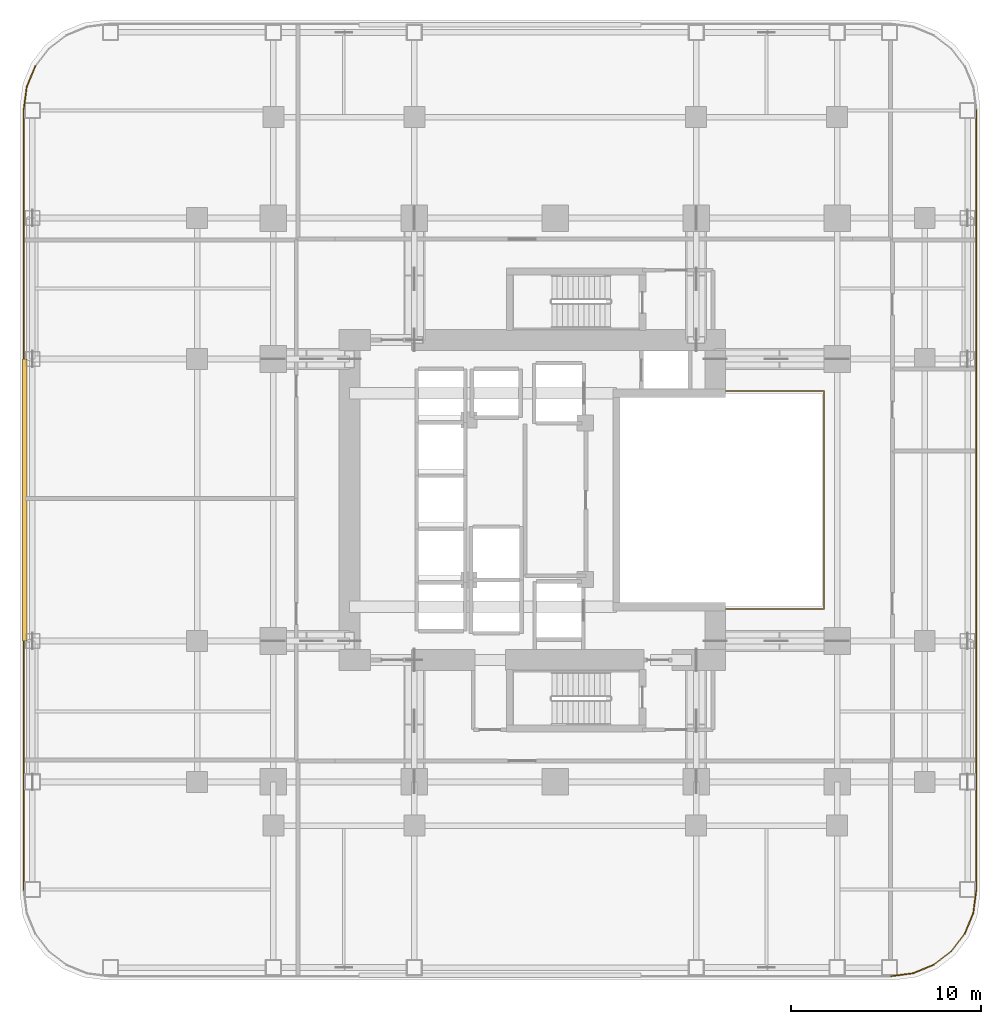
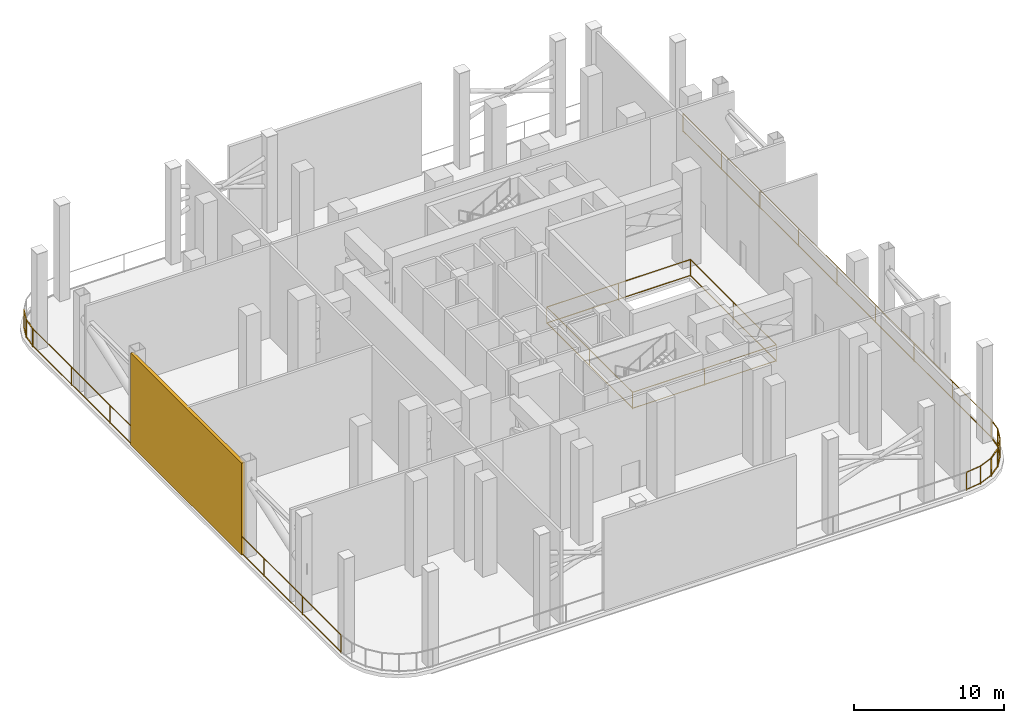
# One storey, part 9 of 11: 11 railings, 1 shading device.
"""IFC4 building model written with IfcOpenShell, lengths in metres."""

from ifc_helpers import new_model, si_unit, direction, frame, origin, origin_2d, place, context, subcontext, project, spatial, rectangle, extrude, material, layer, layer_set, type_object, element, save


model = new_model("IFC4")

# Units and contexts
model_context = context("Model", 3, precision=1e-05, world=origin(), true_north=direction((0.0, 1.0)))
body_context = subcontext(model_context, "Body", "Model", "MODEL_VIEW")
ifc_project = project(units=[si_unit("LENGTHUNIT", "METRE"), si_unit("AREAUNIT", "SQUARE_METRE"), si_unit("VOLUMEUNIT", "CUBIC_METRE"), si_unit("PLANEANGLEUNIT", "RADIAN"), si_unit("MASSUNIT", "GRAM", prefix="KILO")], contexts=[model_context])

# Site, building, storey
site_placement = place(None, origin())
site = spatial("IfcSite", under=ifc_project, at=site_placement, CompositionType="ELEMENT")
building_placement = place(site_placement, origin())
building = spatial("IfcBuilding", under=site, at=building_placement, Name="Khorvyn Point Tower", CompositionType="ELEMENT")
storey_placement = place(building_placement, frame((0.0, 0.0, 77.39990234375)))
storey = spatial("IfcBuildingStorey", under=building, at=storey_placement, Name="L20", CompositionType="ELEMENT", Elevation=77.39990234375)

# Shading device
ifc_material_1 = material(Name="Pale anodised aluminium 6063-T6", Category="aluminium")
ifc_layer = layer(ifc_material_1, 0.25)
ifc_layer_set = layer_set([ifc_layer], Name="Acoustic Hurricane-Louvre Plant Screen")
shading_device_type = type_object("IfcShadingDeviceType", Name="Acoustic Hurricane-Louvre Plant Screen", PredefinedType="JALOUSIE", material=ifc_layer_set)
shading_device_placement = place(storey_placement, frame((-27.85009765625, 0.0, 0.02001953125), z_axis=(0.0, 0.0, 1.0), x_axis=(1.0, 0.0, 0.0)))
element("IfcShadingDevice", 1, at=shading_device_placement, inside=storey, type_object=shading_device_type, Name="L20 Acoustic Hurricane Plant Louvre W", PredefinedType="JALOUSIE", context=body_context, shape_type="SweptSolid", body=[
    extrude(rectangle(XDim=0.25, YDim=14.800048828125, at=origin_2d()), origin(), (0.0, 0.0, 1.0), 7.47998046875),
])

# Railings
ifc_material_2 = material(Name="Stainless steel 1.4401 and laminated glass", Category="steel")
railing_type_1 = type_object("IfcRailingType", Name="Crystal Atrium Smoke-Rated Perimeter Guardrail 1400", PredefinedType="GUARDRAIL", material=ifc_material_2)
railing_1_placement = place(storey_placement, frame((3.080078125, -5.719970703125, 0.0)))
element("IfcRailing", 2, at=railing_1_placement, inside=storey, type_object=railing_type_1, Name="L20 Crystal Atrium Perimeter Guardrail", PredefinedType="GUARDRAIL", context=body_context, shape_type="SweptSolid", body=[
    extrude(rectangle(XDim=0.048095703125, YDim=0.048095703125, at=origin_2d()), frame((0.0, 0.0, 1.3759765625), z_axis=(1.0, 0.0, 0.0), x_axis=(0.0, 1.0, 0.0)), (0.0, 0.0, 1.0), 11.0400390625),
    extrude(rectangle(XDim=0.048095703125, YDim=0.048095703125, at=origin_2d()), frame((0.0, 0.0, 0.080078125), z_axis=(1.0, 0.0, 0.0), x_axis=(0.0, 1.0, 0.0)), (0.0, 0.0, 1.0), 11.0400390625),
    extrude(rectangle(XDim=0.048095703125, YDim=0.048095703125, at=origin_2d()), frame((11.0400390625, 0.0, 1.3759765625), z_axis=(0.0, 1.0, 0.0), x_axis=(-1.0, 0.0, 0.0)), (0.0, 0.0, 1.0), 11.43994140625),
    extrude(rectangle(XDim=0.048095703125, YDim=0.048095703125, at=origin_2d()), frame((11.0400390625, 0.0, 0.080078125), z_axis=(0.0, 1.0, 0.0), x_axis=(-1.0, 0.0, 0.0)), (0.0, 0.0, 1.0), 11.43994140625),
    extrude(rectangle(XDim=0.048095703125, YDim=0.048095703125, at=origin_2d()), frame((11.0400390625, 11.43994140625, 1.3759765625), z_axis=(-1.0, 0.0, 0.0), x_axis=(0.0, -1.0, 0.0)), (0.0, 0.0, 1.0), 11.0400390625),
    extrude(rectangle(XDim=0.048095703125, YDim=0.048095703125, at=origin_2d()), frame((11.0400390625, 11.43994140625, 0.080078125), z_axis=(-1.0, 0.0, 0.0), x_axis=(0.0, -1.0, 0.0)), (0.0, 0.0, 1.0), 11.0400390625),
    extrude(rectangle(XDim=0.048095703125, YDim=0.048095703125, at=origin_2d()), frame((0.0, 11.43994140625, 1.3759765625), z_axis=(0.0, -1.0, 0.0), x_axis=(1.0, 0.0, 0.0)), (0.0, 0.0, 1.0), 11.409912109375),
    extrude(rectangle(XDim=0.048095703125, YDim=0.048095703125, at=origin_2d()), frame((0.0, 11.43994140625, 0.080078125), z_axis=(0.0, -1.0, 0.0), x_axis=(1.0, 0.0, 0.0)), (0.0, 0.0, 1.0), 11.409912109375),
    extrude(rectangle(XDim=0.0419921875, YDim=0.0419921875, at=origin_2d()), origin(), (0.0, 0.0, 1.0), 1.351806640625),
    extrude(rectangle(XDim=0.0419921875, YDim=0.0419921875, at=origin_2d()), frame((5.52001953125, 0.0, 0.0)), (0.0, 0.0, 1.0), 1.351806640625),
    extrude(rectangle(XDim=0.0419921875, YDim=0.0419921875, at=origin_2d()), frame((11.0400390625, 0.0, 0.0)), (0.0, 0.0, 1.0), 1.351806640625),
    extrude(rectangle(XDim=0.0419921875, YDim=0.0419921875, at=origin_2d()), frame((11.0400390625, 5.719970703125, 0.0)), (0.0, 0.0, 1.0), 1.351806640625),
    extrude(rectangle(XDim=0.0419921875, YDim=0.0419921875, at=origin_2d()), frame((11.0400390625, 11.43994140625, 0.0)), (0.0, 0.0, 1.0), 1.351806640625),
    extrude(rectangle(XDim=0.0419921875, YDim=0.0419921875, at=origin_2d()), frame((5.52001953125, 11.43994140625, 0.0)), (0.0, 0.0, 1.0), 1.351806640625),
    extrude(rectangle(XDim=0.0419921875, YDim=0.0419921875, at=origin_2d()), frame((0.0, 11.43994140625, 0.0)), (0.0, 0.0, 1.0), 1.351806640625),
    extrude(rectangle(XDim=0.0419921875, YDim=0.0419921875, at=origin_2d()), frame((0.0, 5.73486328125, 0.0)), (0.0, 0.0, 1.0), 1.351806640625),
    extrude(rectangle(XDim=0.0419921875, YDim=0.0419921875, at=origin_2d()), frame((0.0, 0.030029296875, 0.0)), (0.0, 0.0, 1.0), 1.351806640625),
])
ifc_material_3 = material(Name="Stainless steel 1.4401", Category="steel")
railing_type_2 = type_object("IfcRailingType", Name="School Terrace Anti-Climb Safety Guardrail 1500", PredefinedType="GUARDRAIL", material=ifc_material_3)
railing_2_placement = place(storey_placement, frame((17.634521484375, -24.998291015625, 0.0)))
element("IfcRailing", 3, at=railing_2_placement, inside=storey, type_object=railing_type_2, Name="L20 Open Wind-Floor Perimeter Guardrail 01", PredefinedType="GUARDRAIL", context=body_context, shape_type="SweptSolid", body=[
    extrude(rectangle(XDim=0.048095703125, YDim=0.048095703125, at=origin_2d()), frame((0.0, 0.0, 1.47607421875), z_axis=(0.991444308748, 0.130530389761, 0.0), x_axis=(-0.130530389761, 0.991444308748, 0.0)), (0.0, 0.0, 1.0), 1.165283203125),
    extrude(rectangle(XDim=0.048095703125, YDim=0.048095703125, at=origin_2d()), frame((0.0, 0.0, 0.080078125), z_axis=(0.991444308748, 0.130530389761, 0.0), x_axis=(-0.130530389761, 0.991444308748, 0.0)), (0.0, 0.0, 1.0), 1.165283203125),
    extrude(rectangle(XDim=0.0419921875, YDim=0.0419921875, at=origin_2d()), origin(), (0.0, 0.0, 1.0), 1.451904296875),
    extrude(rectangle(XDim=0.0419921875, YDim=0.0419921875, at=origin_2d()), frame((1.1552734375, 0.152099609375, 0.0)), (0.0, 0.0, 1.0), 1.451904296875),
])
railing_3_placement = place(storey_placement, frame((18.789794921875, -24.84619140625, 0.0)))
element("IfcRailing", 4, at=railing_3_placement, inside=storey, type_object=railing_type_2, Name="L20 Open Wind-Floor Perimeter Guardrail 02", PredefinedType="GUARDRAIL", context=body_context, shape_type="SweptSolid", body=[
    extrude(rectangle(XDim=0.048095703125, YDim=0.048095703125, at=origin_2d()), frame((0.0, 0.0, 1.47607421875), z_axis=(0.923930027667, 0.382561503519, 0.0), x_axis=(-0.382561503519, 0.923930027667, 0.0)), (0.0, 0.0, 1.0), 1.165283203125),
    extrude(rectangle(XDim=0.048095703125, YDim=0.048095703125, at=origin_2d()), frame((0.0, 0.0, 0.080078125), z_axis=(0.923930027667, 0.382561503519, 0.0), x_axis=(-0.382561503519, 0.923930027667, 0.0)), (0.0, 0.0, 1.0), 1.165283203125),
    extrude(rectangle(XDim=0.0419921875, YDim=0.0419921875, at=origin_2d()), origin(), (0.0, 0.0, 1.0), 1.451904296875),
    extrude(rectangle(XDim=0.0419921875, YDim=0.0419921875, at=origin_2d()), frame((1.07666015625, 0.44580078125, 0.0)), (0.0, 0.0, 1.0), 1.451904296875),
])
railing_4_placement = place(storey_placement, frame((19.866455078125, -24.400390625, 0.0)))
element("IfcRailing", 5, at=railing_4_placement, inside=storey, type_object=railing_type_2, Name="L20 Open Wind-Floor Perimeter Guardrail 03", PredefinedType="GUARDRAIL", context=body_context, shape_type="SweptSolid", body=[
    extrude(rectangle(XDim=0.048095703125, YDim=0.048095703125, at=origin_2d()), frame((0.0, 0.0, 1.47607421875), z_axis=(0.793339914386, 0.608778925589, 0.0), x_axis=(-0.608778925589, 0.793339914386, 0.0)), (0.0, 0.0, 1.0), 1.165283203125),
    extrude(rectangle(XDim=0.048095703125, YDim=0.048095703125, at=origin_2d()), frame((0.0, 0.0, 0.080078125), z_axis=(0.793339914386, 0.608778925589, 0.0), x_axis=(-0.608778925589, 0.793339914386, 0.0)), (0.0, 0.0, 1.0), 1.165283203125),
    extrude(rectangle(XDim=0.0419921875, YDim=0.0419921875, at=origin_2d()), origin(), (0.0, 0.0, 1.0), 1.451904296875),
    extrude(rectangle(XDim=0.0419921875, YDim=0.0419921875, at=origin_2d()), frame((0.924560546875, 0.70947265625, 0.0)), (0.0, 0.0, 1.0), 1.451904296875),
])
railing_5_placement = place(storey_placement, frame((20.791015625, -23.69091796875, 0.0)))
element("IfcRailing", 6, at=railing_5_placement, inside=storey, type_object=railing_type_2, Name="L20 Open Wind-Floor Perimeter Guardrail 04", PredefinedType="GUARDRAIL", context=body_context, shape_type="SweptSolid", body=[
    extrude(rectangle(XDim=0.048095703125, YDim=0.048095703125, at=origin_2d()), frame((0.0, 0.0, 1.47607421875), z_axis=(0.608647049612, 0.793441093591, 0.0), x_axis=(-0.793441093591, 0.608647049612, 0.0)), (0.0, 0.0, 1.0), 1.165283203125),
    extrude(rectangle(XDim=0.048095703125, YDim=0.048095703125, at=origin_2d()), frame((0.0, 0.0, 0.080078125), z_axis=(0.608647049612, 0.793441093591, 0.0), x_axis=(-0.793441093591, 0.608647049612, 0.0)), (0.0, 0.0, 1.0), 1.165283203125),
    extrude(rectangle(XDim=0.0419921875, YDim=0.0419921875, at=origin_2d()), origin(), (0.0, 0.0, 1.0), 1.451904296875),
    extrude(rectangle(XDim=0.0419921875, YDim=0.0419921875, at=origin_2d()), frame((0.709228515625, 0.924560546875, 0.0)), (0.0, 0.0, 1.0), 1.451904296875),
])
railing_6_placement = place(storey_placement, frame((21.500244140625, -22.766357421875, 0.0)))
element("IfcRailing", 7, at=railing_6_placement, inside=storey, type_object=railing_type_2, Name="L20 Open Wind-Floor Perimeter Guardrail 05", PredefinedType="GUARDRAIL", context=body_context, shape_type="SweptSolid", body=[
    extrude(rectangle(XDim=0.048095703125, YDim=0.048095703125, at=origin_2d()), frame((0.0, 0.0, 1.47607421875), z_axis=(0.38274032778, 0.923855963606, 0.0), x_axis=(-0.923855963606, 0.38274032778, 0.0)), (0.0, 0.0, 1.0), 1.165283203125),
    extrude(rectangle(XDim=0.048095703125, YDim=0.048095703125, at=origin_2d()), frame((0.0, 0.0, 0.080078125), z_axis=(0.38274032778, 0.923855963606, 0.0), x_axis=(-0.923855963606, 0.38274032778, 0.0)), (0.0, 0.0, 1.0), 1.165283203125),
    extrude(rectangle(XDim=0.0419921875, YDim=0.0419921875, at=origin_2d()), origin(), (0.0, 0.0, 1.0), 1.451904296875),
    extrude(rectangle(XDim=0.0419921875, YDim=0.0419921875, at=origin_2d()), frame((0.446044921875, 1.07666015625, 0.0)), (0.0, 0.0, 1.0), 1.451904296875),
])
railing_7_placement = place(storey_placement, frame((21.9462890625, -21.689697265625, 0.0)))
element("IfcRailing", 8, at=railing_7_placement, inside=storey, type_object=railing_type_2, Name="L20 Open Wind-Floor Perimeter Guardrail 06", PredefinedType="GUARDRAIL", context=body_context, shape_type="SweptSolid", body=[
    extrude(rectangle(XDim=0.048095703125, YDim=0.048095703125, at=origin_2d()), frame((0.0, 0.0, 1.47607421875), z_axis=(0.130530389761, 0.991444308748, 0.0), x_axis=(-0.991444308748, 0.130530389761, 0.0)), (0.0, 0.0, 1.0), 1.165283203125),
    extrude(rectangle(XDim=0.048095703125, YDim=0.048095703125, at=origin_2d()), frame((0.0, 0.0, 0.080078125), z_axis=(0.130530389761, 0.991444308748, 0.0), x_axis=(-0.991444308748, 0.130530389761, 0.0)), (0.0, 0.0, 1.0), 1.165283203125),
    extrude(rectangle(XDim=0.0419921875, YDim=0.0419921875, at=origin_2d()), origin(), (0.0, 0.0, 1.0), 1.451904296875),
    extrude(rectangle(XDim=0.0419921875, YDim=0.0419921875, at=origin_2d()), frame((0.152099609375, 1.1552734375, 0.0)), (0.0, 0.0, 1.0), 1.451904296875),
])
railing_8_placement = place(storey_placement, frame((22.098388671875, -20.534423828125, 0.0)))
element("IfcRailing", 9, at=railing_8_placement, inside=storey, type_object=railing_type_2, Name="L20 Open Wind-Floor Perimeter Guardrail 07", PredefinedType="GUARDRAIL", context=body_context, shape_type="SweptSolid", body=[
    extrude(rectangle(XDim=0.048095703125, YDim=0.048095703125, at=origin_2d()), frame((0.0, 0.0, 1.47607421875), z_axis=(0.0, 1.0, 0.0), x_axis=(-1.0, 0.0, 0.0)), (0.0, 0.0, 1.0), 41.06884765625),
    extrude(rectangle(XDim=0.048095703125, YDim=0.048095703125, at=origin_2d()), frame((0.0, 0.0, 0.080078125), z_axis=(0.0, 1.0, 0.0), x_axis=(-1.0, 0.0, 0.0)), (0.0, 0.0, 1.0), 41.06884765625),
    extrude(rectangle(XDim=0.0419921875, YDim=0.0419921875, at=origin_2d()), origin(), (0.0, 0.0, 1.0), 1.451904296875),
    extrude(rectangle(XDim=0.0419921875, YDim=0.0419921875, at=origin_2d()), frame((0.0, 5.133544921875, 0.0)), (0.0, 0.0, 1.0), 1.451904296875),
    extrude(rectangle(XDim=0.0419921875, YDim=0.0419921875, at=origin_2d()), frame((0.0, 10.26708984375, 0.0)), (0.0, 0.0, 1.0), 1.451904296875),
    extrude(rectangle(XDim=0.0419921875, YDim=0.0419921875, at=origin_2d()), frame((0.0, 15.40087890625, 0.0)), (0.0, 0.0, 1.0), 1.451904296875),
    extrude(rectangle(XDim=0.0419921875, YDim=0.0419921875, at=origin_2d()), frame((0.0, 20.534423828125, 0.0)), (0.0, 0.0, 1.0), 1.451904296875),
    extrude(rectangle(XDim=0.0419921875, YDim=0.0419921875, at=origin_2d()), frame((0.0, 25.66796875, 0.0)), (0.0, 0.0, 1.0), 1.451904296875),
    extrude(rectangle(XDim=0.0419921875, YDim=0.0419921875, at=origin_2d()), frame((0.0, 30.8017578125, 0.0)), (0.0, 0.0, 1.0), 1.451904296875),
    extrude(rectangle(XDim=0.0419921875, YDim=0.0419921875, at=origin_2d()), frame((0.0, 35.935302734375, 0.0)), (0.0, 0.0, 1.0), 1.451904296875),
    extrude(rectangle(XDim=0.0419921875, YDim=0.0419921875, at=origin_2d()), frame((0.0, 41.06884765625, 0.0)), (0.0, 0.0, 1.0), 1.451904296875),
])
railing_9_placement = place(storey_placement, frame((-27.30029296875, 22.766357421875, 0.0)))
element("IfcRailing", 10, at=railing_9_placement, inside=storey, type_object=railing_type_2, Name="L20 Open Wind-Floor Perimeter Guardrail 19", PredefinedType="GUARDRAIL", context=body_context, shape_type="SweptSolid", body=[
    extrude(rectangle(XDim=0.048095703125, YDim=0.048095703125, at=origin_2d()), frame((0.0, 0.0, 1.47607421875), z_axis=(-0.38274032778, -0.923855963606, 0.0), x_axis=(0.923855963606, -0.38274032778, 0.0)), (0.0, 0.0, 1.0), 1.165283203125),
    extrude(rectangle(XDim=0.048095703125, YDim=0.048095703125, at=origin_2d()), frame((0.0, 0.0, 0.080078125), z_axis=(-0.38274032778, -0.923855963606, 0.0), x_axis=(0.923855963606, -0.38274032778, 0.0)), (0.0, 0.0, 1.0), 1.165283203125),
    extrude(rectangle(XDim=0.0419921875, YDim=0.0419921875, at=origin_2d()), origin(), (0.0, 0.0, 1.0), 1.451904296875),
    extrude(rectangle(XDim=0.0419921875, YDim=0.0419921875, at=origin_2d()), frame((-0.446044921875, -1.07666015625, 0.0)), (0.0, 0.0, 1.0), 1.451904296875),
])
railing_10_placement = place(storey_placement, frame((-27.746337890625, 21.689697265625, 0.0)))
element("IfcRailing", 11, at=railing_10_placement, inside=storey, type_object=railing_type_2, Name="L20 Open Wind-Floor Perimeter Guardrail 20", PredefinedType="GUARDRAIL", context=body_context, shape_type="SweptSolid", body=[
    extrude(rectangle(XDim=0.048095703125, YDim=0.048095703125, at=origin_2d()), frame((0.0, 0.0, 1.47607421875), z_axis=(-0.130530389761, -0.991444308748, 0.0), x_axis=(0.991444308748, -0.130530389761, 0.0)), (0.0, 0.0, 1.0), 1.165283203125),
    extrude(rectangle(XDim=0.048095703125, YDim=0.048095703125, at=origin_2d()), frame((0.0, 0.0, 0.080078125), z_axis=(-0.130530389761, -0.991444308748, 0.0), x_axis=(0.991444308748, -0.130530389761, 0.0)), (0.0, 0.0, 1.0), 1.165283203125),
    extrude(rectangle(XDim=0.0419921875, YDim=0.0419921875, at=origin_2d()), origin(), (0.0, 0.0, 1.0), 1.451904296875),
    extrude(rectangle(XDim=0.0419921875, YDim=0.0419921875, at=origin_2d()), frame((-0.152099609375, -1.1552734375, 0.0)), (0.0, 0.0, 1.0), 1.451904296875),
])
railing_11_placement = place(storey_placement, frame((-27.8984375, 20.534423828125, 0.0)))
element("IfcRailing", 12, at=railing_11_placement, inside=storey, type_object=railing_type_2, Name="L20 Open Wind-Floor Perimeter Guardrail 21", PredefinedType="GUARDRAIL", context=body_context, shape_type="SweptSolid", body=[
    extrude(rectangle(XDim=0.048095703125, YDim=0.048095703125, at=origin_2d()), frame((0.0, 0.0, 1.47607421875), z_axis=(0.0, -1.0, 0.0), x_axis=(1.0, 0.0, 0.0)), (0.0, 0.0, 1.0), 41.06884765625),
    extrude(rectangle(XDim=0.048095703125, YDim=0.048095703125, at=origin_2d()), frame((0.0, 0.0, 0.080078125), z_axis=(0.0, -1.0, 0.0), x_axis=(1.0, 0.0, 0.0)), (0.0, 0.0, 1.0), 41.06884765625),
    extrude(rectangle(XDim=0.0419921875, YDim=0.0419921875, at=origin_2d()), origin(), (0.0, 0.0, 1.0), 1.451904296875),
    extrude(rectangle(XDim=0.0419921875, YDim=0.0419921875, at=origin_2d()), frame((0.0, -5.133544921875, 0.0)), (0.0, 0.0, 1.0), 1.451904296875),
    extrude(rectangle(XDim=0.0419921875, YDim=0.0419921875, at=origin_2d()), frame((0.0, -10.26708984375, 0.0)), (0.0, 0.0, 1.0), 1.451904296875),
    extrude(rectangle(XDim=0.0419921875, YDim=0.0419921875, at=origin_2d()), frame((0.0, -15.40087890625, 0.0)), (0.0, 0.0, 1.0), 1.451904296875),
    extrude(rectangle(XDim=0.0419921875, YDim=0.0419921875, at=origin_2d()), frame((0.0, -20.534423828125, 0.0)), (0.0, 0.0, 1.0), 1.451904296875),
    extrude(rectangle(XDim=0.0419921875, YDim=0.0419921875, at=origin_2d()), frame((0.0, -25.66796875, 0.0)), (0.0, 0.0, 1.0), 1.451904296875),
    extrude(rectangle(XDim=0.0419921875, YDim=0.0419921875, at=origin_2d()), frame((0.0, -30.8017578125, 0.0)), (0.0, 0.0, 1.0), 1.451904296875),
    extrude(rectangle(XDim=0.0419921875, YDim=0.0419921875, at=origin_2d()), frame((0.0, -35.935302734375, 0.0)), (0.0, 0.0, 1.0), 1.451904296875),
    extrude(rectangle(XDim=0.0419921875, YDim=0.0419921875, at=origin_2d()), frame((0.0, -41.06884765625, 0.0)), (0.0, 0.0, 1.0), 1.451904296875),
])

save(model, "model.ifc")
